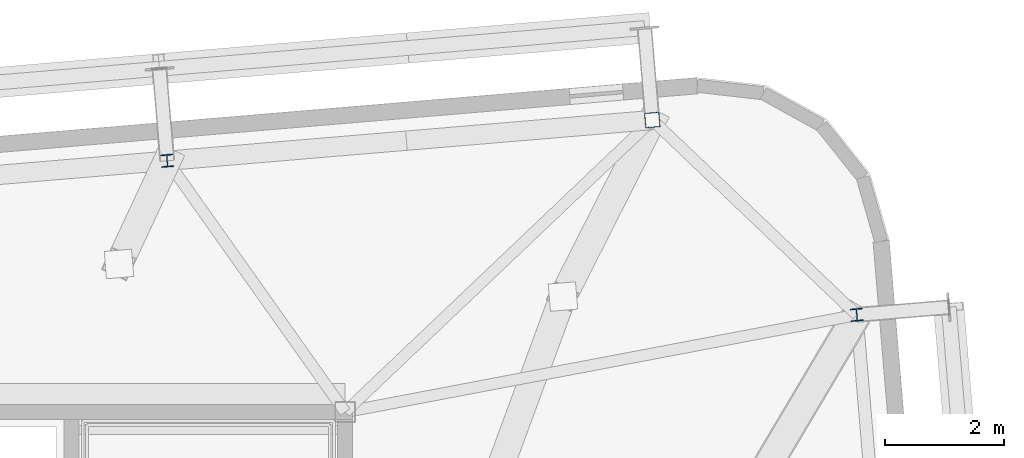
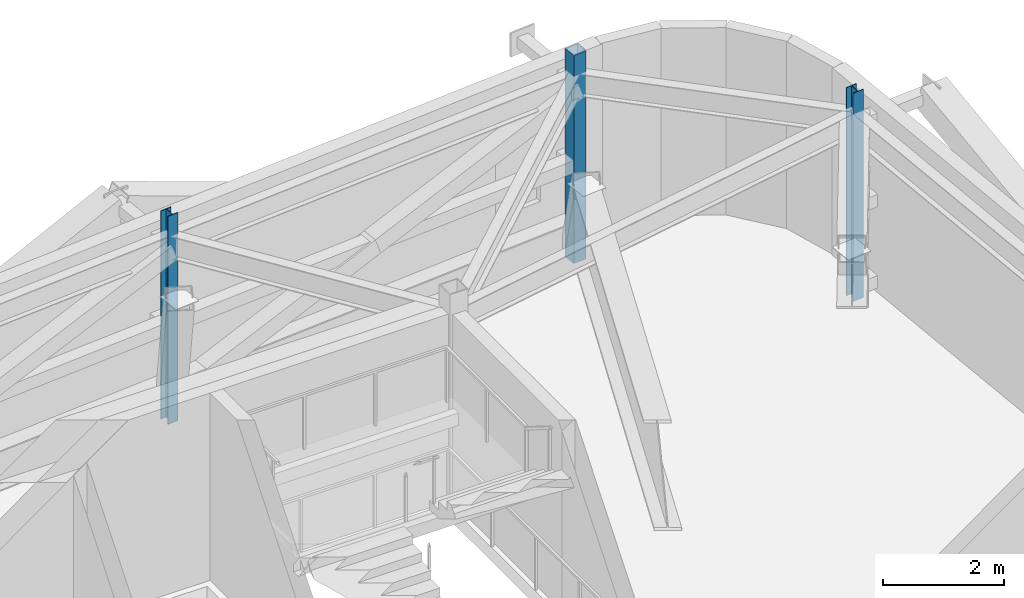
# One storey, part 6 of 26: 3 columns.
"""IFC4 building model written with IfcOpenShell, lengths in metres."""

from ifc_helpers import new_model, si_unit, direction, frame, origin, origin_2d, place, context, subcontext, project, spatial, hollow_rectangle, i_section, extrude, source, transform, mapped, material, material_profile, profile_set, type_object, element, save


model = new_model("IFC4")

# Units and contexts
model_context = context("Model", 3, precision=1e-05, world=origin(), true_north=direction((0.0, 1.0)))
body_context = subcontext(model_context, "Body", "Model", "MODEL_VIEW")
ifc_project = project(units=[si_unit("LENGTHUNIT", "METRE"), si_unit("AREAUNIT", "SQUARE_METRE"), si_unit("VOLUMEUNIT", "CUBIC_METRE"), si_unit("PLANEANGLEUNIT", "RADIAN"), si_unit("MASSUNIT", "GRAM", prefix="KILO")], contexts=[model_context])

# Site, building, storey
site_placement = place(None, origin())
site = spatial("IfcSite", under=ifc_project, at=site_placement, CompositionType="ELEMENT")
building_placement = place(site_placement, origin())
building = spatial("IfcBuilding", under=site, at=building_placement, Name="Taldren Reach Tower", CompositionType="ELEMENT")
storey_placement = place(building_placement, frame((0.0, 0.0, 207.199951171875)))
storey = spatial("IfcBuildingStorey", under=building, at=storey_placement, Name="L63", CompositionType="ELEMENT", Elevation=207.199951171875)

# Columns
ifc_material_1 = material(Name="Steel Gr 350 (C350L0)", Category="steel")
ifc_material_profile_1 = material_profile(ifc_material_1, hollow_rectangle(XDim=0.25, YDim=0.25, WallThickness=0.010009765625, at=origin_2d()), Name="250x250x10.0SHS")
ifc_profile_set_1 = profile_set([ifc_material_profile_1], Name="Steel Gr 350 (C350L0)")
column_type_1 = type_object("IfcColumnType", Name="COL-SHS250", PredefinedType="COLUMN", material=ifc_profile_set_1)
shared_shape_1 = source(origin(), body_context, "Body", "SweptSolid", [
    extrude(hollow_rectangle(XDim=0.25, YDim=0.25, WallThickness=0.010009765625, at=origin_2d()), origin(), (0.0, 0.0, 1.0), 4.199951171875),
])
column_placement = place(storey_placement, frame((56.160400390625, 36.906005859375, 0.0), z_axis=(0.0, 0.0, 1.0), x_axis=(0.99649285925, 0.083677843332, 0.0)))
element("IfcColumn", 1, at=column_placement, inside=storey, type_object=column_type_1, Name="Block B4 perimeter column N6 L63", PredefinedType="COLUMN", context=body_context, shape_type="MappedRepresentation", body=[
    mapped(shared_shape_1, transform((0.0, 0.0, 0.0), scale=1.0)),
])
ifc_material_2 = material(Name="Steel Gr 350 (350PLUS)", Category="steel")
ifc_material_profile_2 = material_profile(ifc_material_2, i_section(OverallWidth=0.205078125, OverallDepth=0.2099609375, WebThickness=0.00927734375, FlangeThickness=0.01416015625, at=origin_2d()), Name="200UC59.5")
ifc_profile_set_2 = profile_set([ifc_material_profile_2], Name="Steel Gr 350 (350PLUS)")
column_type_2 = type_object("IfcColumnType", Name="COL-UC200", PredefinedType="COLUMN", material=ifc_profile_set_2)
shared_shape_2 = source(origin(), body_context, "Body", "SweptSolid", [
    extrude(i_section(OverallWidth=0.205078125, OverallDepth=0.2099609375, WebThickness=0.00927734375, FlangeThickness=0.01416015625, at=origin_2d()), origin(), (0.0, 0.0, 1.0), 4.199951171875),
])
for number, where, z_axis, x_axis, name in (
    (2, (48.009033203125, 36.221435546875, 0.0), (0.0, 0.0, 1.0), (0.99649285925, 0.083677843332, 0.0), "Block B4 perimeter column N5 L63"),
    (3, (59.596435546875, 33.632080078125, 0.0), (0.0, 0.0, 1.0), (0.99649285925, 0.083677843332, 0.0), "Block B4 perimeter column E3 L63"),
):
    element("IfcColumn", number, at=place(storey_placement, frame(where, z_axis=z_axis, x_axis=x_axis)), inside=storey, type_object=column_type_2, Name=name, PredefinedType="COLUMN", context=body_context, shape_type="MappedRepresentation", body=[
        mapped(shared_shape_2, transform((0.0, 0.0, 0.0), scale=1.0)),
    ])

save(model, "model.ifc")
